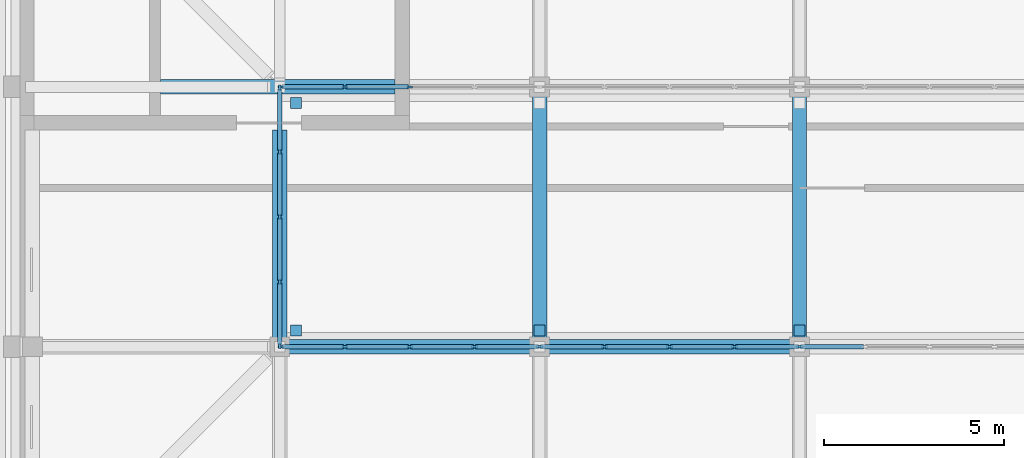
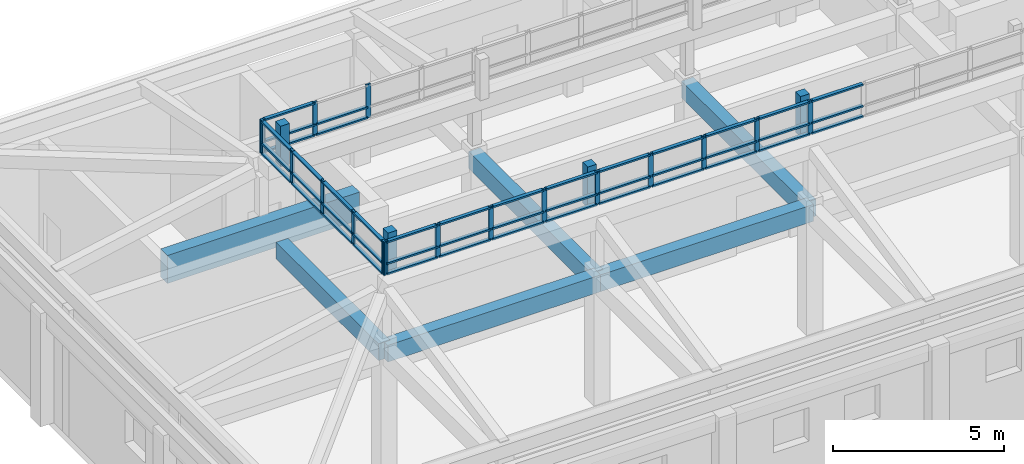
# One storey, part 14 of 48: 65 members, 6 beams, 3 elements without a shape of their own.
"""IFC4 building model written with IfcOpenShell, lengths in metres."""

from ifc_helpers import new_model, si_unit, direction, frame, origin, origin_2d, place, context, subcontext, project, spatial, rectangle, extrude, material, material_profile, profile_set, type_object, element, aggregate, save


model = new_model("IFC4")

# Units and contexts
model_context = context("Model", 3, precision=1e-05, world=origin(), true_north=direction((0.0, 1.0)))
body_context = subcontext(model_context, "Body", "Model", "MODEL_VIEW")
ifc_project = project(units=[si_unit("LENGTHUNIT", "METRE"), si_unit("AREAUNIT", "SQUARE_METRE"), si_unit("VOLUMEUNIT", "CUBIC_METRE"), si_unit("PLANEANGLEUNIT", "RADIAN"), si_unit("MASSUNIT", "GRAM", prefix="KILO")], contexts=[model_context])

# Site, building, storey
site_placement = place(None, origin())
site = spatial("IfcSite", under=ifc_project, at=site_placement, CompositionType="ELEMENT")
building_placement = place(site_placement, origin())
building = spatial("IfcBuilding", under=site, at=building_placement, Name="Alderwick Market Hall", CompositionType="ELEMENT")
storey_placement = place(building_placement, frame((0.0, 0.0, 14.39990234375)))
storey = spatial("IfcBuildingStorey", under=building, at=storey_placement, Name="L02", CompositionType="ELEMENT", Elevation=14.39990234375)

# Curtain wall, members
ifc_material_1 = material(Name="F Curtain Wall 1800 module")
curtain_wall_type = type_object("IfcCurtainWallType", Name="F Curtain Wall 1800 module", PredefinedType="NOTDEFINED", material=ifc_material_1)
curtain_wall_1_placement = place(storey_placement, origin())
curtain_wall_1 = element("IfcCurtainWall", 1, at=curtain_wall_1_placement, inside=storey, type_object=curtain_wall_type, Name="F.lantern.L02.s", PredefinedType="NOTDEFINED")
ifc_material_2 = material(Name="Aluminium alloy 6063-T6", Category="aluminium")
ifc_material_profile_1 = material_profile(ifc_material_2, rectangle(XDim=0.06005859375, YDim=0.159912109375, at=origin_2d()), Name="AL 60x160")
ifc_profile_set_1 = profile_set([ifc_material_profile_1], Name="Aluminium alloy 6063-T6")
member_type_1 = type_object("IfcMemberType", Name="F Curtain Wall Mullion 60x160", PredefinedType="MULLION", material=ifc_profile_set_1)
member_1_placement = place(storey_placement, frame((165.6298828125, 136.800048828125, 6.955078125), z_axis=(0.0, 0.0, 1.0), x_axis=(0.0, 1.0, 0.0)))
member_1 = element("IfcMember", 2, at=member_1_placement, type_object=member_type_1, Name="F-LCW mullion 1", PredefinedType="MULLION", context=body_context, shape_type="SweptSolid", body=[
    extrude(rectangle(XDim=0.06005859375, YDim=0.159912109375, at=origin_2d()), origin(), (0.0, 0.0, 1.0), 1.199951171875),
])
member_2_placement = place(storey_placement, frame((167.39990234375, 136.800048828125, 6.955078125), z_axis=(0.0, 0.0, 1.0), x_axis=(0.0, 1.0, 0.0)))
member_2 = element("IfcMember", 3, at=member_2_placement, type_object=member_type_1, Name="F-LCW mullion 2", PredefinedType="MULLION", context=body_context, shape_type="SweptSolid", body=[
    extrude(rectangle(XDim=0.06005859375, YDim=0.159912109375, at=origin_2d()), origin(), (0.0, 0.0, 1.0), 1.199951171875),
])
member_3_placement = place(storey_placement, frame((169.199951171875, 136.800048828125, 6.955078125), z_axis=(0.0, 0.0, 1.0), x_axis=(0.0, 1.0, 0.0)))
member_3 = element("IfcMember", 4, at=member_3_placement, type_object=member_type_1, Name="F-LCW mullion 3", PredefinedType="MULLION", context=body_context, shape_type="SweptSolid", body=[
    extrude(rectangle(XDim=0.06005859375, YDim=0.159912109375, at=origin_2d()), origin(), (0.0, 0.0, 1.0), 1.199951171875),
])
member_4_placement = place(storey_placement, frame((171.0, 136.800048828125, 6.955078125), z_axis=(0.0, 0.0, 1.0), x_axis=(0.0, 1.0, 0.0)))
member_4 = element("IfcMember", 5, at=member_4_placement, type_object=member_type_1, Name="F-LCW mullion 4", PredefinedType="MULLION", context=body_context, shape_type="SweptSolid", body=[
    extrude(rectangle(XDim=0.06005859375, YDim=0.159912109375, at=origin_2d()), origin(), (0.0, 0.0, 1.0), 1.199951171875),
])
member_5_placement = place(storey_placement, frame((172.800048828125, 136.800048828125, 6.955078125), z_axis=(0.0, 0.0, 1.0), x_axis=(0.0, 1.0, 0.0)))
member_5 = element("IfcMember", 6, at=member_5_placement, type_object=member_type_1, Name="F-LCW mullion 5", PredefinedType="MULLION", context=body_context, shape_type="SweptSolid", body=[
    extrude(rectangle(XDim=0.06005859375, YDim=0.159912109375, at=origin_2d()), origin(), (0.0, 0.0, 1.0), 1.199951171875),
])
member_6_placement = place(storey_placement, frame((174.60009765625, 136.800048828125, 6.955078125), z_axis=(0.0, 0.0, 1.0), x_axis=(0.0, 1.0, 0.0)))
member_6 = element("IfcMember", 7, at=member_6_placement, type_object=member_type_1, Name="F-LCW mullion 6", PredefinedType="MULLION", context=body_context, shape_type="SweptSolid", body=[
    extrude(rectangle(XDim=0.06005859375, YDim=0.159912109375, at=origin_2d()), origin(), (0.0, 0.0, 1.0), 1.199951171875),
])
member_7_placement = place(storey_placement, frame((176.39990234375, 136.800048828125, 6.955078125), z_axis=(0.0, 0.0, 1.0), x_axis=(0.0, 1.0, 0.0)))
member_7 = element("IfcMember", 8, at=member_7_placement, type_object=member_type_1, Name="F-LCW mullion 7", PredefinedType="MULLION", context=body_context, shape_type="SweptSolid", body=[
    extrude(rectangle(XDim=0.06005859375, YDim=0.159912109375, at=origin_2d()), origin(), (0.0, 0.0, 1.0), 1.199951171875),
])
member_8_placement = place(storey_placement, frame((178.199951171875, 136.800048828125, 6.955078125), z_axis=(0.0, 0.0, 1.0), x_axis=(0.0, 1.0, 0.0)))
member_8 = element("IfcMember", 9, at=member_8_placement, type_object=member_type_1, Name="F-LCW mullion 8", PredefinedType="MULLION", context=body_context, shape_type="SweptSolid", body=[
    extrude(rectangle(XDim=0.06005859375, YDim=0.159912109375, at=origin_2d()), origin(), (0.0, 0.0, 1.0), 1.199951171875),
])
member_9_placement = place(storey_placement, frame((180.0, 136.800048828125, 6.955078125), z_axis=(0.0, 0.0, 1.0), x_axis=(0.0, 1.0, 0.0)))
member_9 = element("IfcMember", 10, at=member_9_placement, type_object=member_type_1, Name="F-LCW mullion 9", PredefinedType="MULLION", context=body_context, shape_type="SweptSolid", body=[
    extrude(rectangle(XDim=0.06005859375, YDim=0.159912109375, at=origin_2d()), origin(), (0.0, 0.0, 1.0), 1.199951171875),
])

curtain_wall_2_placement = place(storey_placement, origin())
curtain_wall_2 = element("IfcCurtainWall", 11, at=curtain_wall_2_placement, inside=storey, type_object=curtain_wall_type, Name="F.lantern.L02.n", PredefinedType="NOTDEFINED")
member_10_placement = place(storey_placement, frame((165.6298828125, 144.0, 6.955078125), z_axis=(0.0, 0.0, 1.0), x_axis=(0.0, 1.0, 0.0)))
member_10 = element("IfcMember", 12, at=member_10_placement, type_object=member_type_1, Name="F-LCW mullion 1", PredefinedType="MULLION", context=body_context, shape_type="SweptSolid", body=[
    extrude(rectangle(XDim=0.06005859375, YDim=0.159912109375, at=origin_2d()), origin(), (0.0, 0.0, 1.0), 1.199951171875),
])
member_11_placement = place(storey_placement, frame((167.39990234375, 144.0, 6.955078125), z_axis=(0.0, 0.0, 1.0), x_axis=(0.0, 1.0, 0.0)))
member_11 = element("IfcMember", 13, at=member_11_placement, type_object=member_type_1, Name="F-LCW mullion 2", PredefinedType="MULLION", context=body_context, shape_type="SweptSolid", body=[
    extrude(rectangle(XDim=0.06005859375, YDim=0.159912109375, at=origin_2d()), origin(), (0.0, 0.0, 1.0), 1.199951171875),
])
member_12_placement = place(storey_placement, frame((169.199951171875, 144.0, 6.955078125), z_axis=(0.0, 0.0, 1.0), x_axis=(0.0, 1.0, 0.0)))
member_12 = element("IfcMember", 14, at=member_12_placement, type_object=member_type_1, Name="F-LCW mullion 3", PredefinedType="MULLION", context=body_context, shape_type="SweptSolid", body=[
    extrude(rectangle(XDim=0.06005859375, YDim=0.159912109375, at=origin_2d()), origin(), (0.0, 0.0, 1.0), 1.199951171875),
])

curtain_wall_3_placement = place(storey_placement, origin())
curtain_wall_3 = element("IfcCurtainWall", 15, at=curtain_wall_3_placement, inside=storey, type_object=curtain_wall_type, Name="F.lantern.L02.w", PredefinedType="NOTDEFINED")
member_13_placement = place(storey_placement, frame((165.60009765625, 136.830078125, 6.955078125), z_axis=(0.0, 0.0, 1.0), x_axis=(-1.0, 0.0, 0.0)))
member_13 = element("IfcMember", 16, at=member_13_placement, type_object=member_type_1, Name="F-LCW mullion 1", PredefinedType="MULLION", context=body_context, shape_type="SweptSolid", body=[
    extrude(rectangle(XDim=0.06005859375, YDim=0.159912109375, at=origin_2d()), origin(), (0.0, 0.0, 1.0), 1.199951171875),
])
member_14_placement = place(storey_placement, frame((165.60009765625, 138.60009765625, 6.955078125), z_axis=(0.0, 0.0, 1.0), x_axis=(-1.0, 0.0, 0.0)))
member_14 = element("IfcMember", 17, at=member_14_placement, type_object=member_type_1, Name="F-LCW mullion 2", PredefinedType="MULLION", context=body_context, shape_type="SweptSolid", body=[
    extrude(rectangle(XDim=0.06005859375, YDim=0.159912109375, at=origin_2d()), origin(), (0.0, 0.0, 1.0), 1.199951171875),
])
member_15_placement = place(storey_placement, frame((165.60009765625, 140.39990234375, 6.955078125), z_axis=(0.0, 0.0, 1.0), x_axis=(-1.0, 0.0, 0.0)))
member_15 = element("IfcMember", 18, at=member_15_placement, type_object=member_type_1, Name="F-LCW mullion 3", PredefinedType="MULLION", context=body_context, shape_type="SweptSolid", body=[
    extrude(rectangle(XDim=0.06005859375, YDim=0.159912109375, at=origin_2d()), origin(), (0.0, 0.0, 1.0), 1.199951171875),
])
member_16_placement = place(storey_placement, frame((165.60009765625, 142.199951171875, 6.955078125), z_axis=(0.0, 0.0, 1.0), x_axis=(-1.0, 0.0, 0.0)))
member_16 = element("IfcMember", 19, at=member_16_placement, type_object=member_type_1, Name="F-LCW mullion 4", PredefinedType="MULLION", context=body_context, shape_type="SweptSolid", body=[
    extrude(rectangle(XDim=0.06005859375, YDim=0.159912109375, at=origin_2d()), origin(), (0.0, 0.0, 1.0), 1.199951171875),
])
member_17_placement = place(storey_placement, frame((165.60009765625, 143.969970703125, 6.955078125), z_axis=(0.0, 0.0, 1.0), x_axis=(-1.0, 0.0, 0.0)))
member_17 = element("IfcMember", 20, at=member_17_placement, type_object=member_type_1, Name="F-LCW mullion 5", PredefinedType="MULLION", context=body_context, shape_type="SweptSolid", body=[
    extrude(rectangle(XDim=0.06005859375, YDim=0.159912109375, at=origin_2d()), origin(), (0.0, 0.0, 1.0), 1.199951171875),
])

# Member
ifc_material_profile_2 = material_profile(ifc_material_2, rectangle(XDim=0.1201171875, YDim=0.06005859375, at=origin_2d()), Name="AL 60x120")
ifc_profile_set_2 = profile_set([ifc_material_profile_2], Name="Aluminium alloy 6063-T6")
member_type_2 = type_object("IfcMemberType", Name="F Curtain Wall Transom 60x120", PredefinedType="USERDEFINED", material=ifc_profile_set_2)
member_18_placement = place(storey_placement, frame((165.659912109375, 136.800048828125, 6.985107421875), z_axis=(1.0, 0.0, 0.0), x_axis=(0.0, 1.0, 0.0)))
member_18 = element("IfcMember", 21, at=member_18_placement, type_object=member_type_2, Name="F-LCW transom 1.1", ObjectType="TRANSOM", PredefinedType="USERDEFINED", context=body_context, shape_type="SweptSolid", body=[
    extrude(rectangle(XDim=0.1201171875, YDim=0.06005859375, at=origin_2d()), origin(), (0.0, 0.0, 1.0), 1.710205078125),
])

member_19_placement = place(storey_placement, frame((165.659912109375, 136.800048828125, 7.35498046875), z_axis=(1.0, 0.0, 0.0), x_axis=(0.0, 1.0, 0.0)))
member_19 = element("IfcMember", 22, at=member_19_placement, type_object=member_type_2, Name="F-LCW transom 1.2", ObjectType="TRANSOM", PredefinedType="USERDEFINED", context=body_context, shape_type="SweptSolid", body=[
    extrude(rectangle(XDim=0.1201171875, YDim=0.06005859375, at=origin_2d()), origin(), (0.0, 0.0, 1.0), 1.710205078125),
])

member_20_placement = place(storey_placement, frame((165.659912109375, 136.800048828125, 8.125), z_axis=(1.0, 0.0, 0.0), x_axis=(0.0, 1.0, 0.0)))
member_20 = element("IfcMember", 23, at=member_20_placement, type_object=member_type_2, Name="F-LCW transom 1.3", ObjectType="TRANSOM", PredefinedType="USERDEFINED", context=body_context, shape_type="SweptSolid", body=[
    extrude(rectangle(XDim=0.1201171875, YDim=0.06005859375, at=origin_2d()), origin(), (0.0, 0.0, 1.0), 1.710205078125),
])

member_21_placement = place(storey_placement, frame((167.429931640625, 136.800048828125, 6.985107421875), z_axis=(1.0, 0.0, 0.0), x_axis=(0.0, 1.0, 0.0)))
member_21 = element("IfcMember", 24, at=member_21_placement, type_object=member_type_2, Name="F-LCW transom 2.1", ObjectType="TRANSOM", PredefinedType="USERDEFINED", context=body_context, shape_type="SweptSolid", body=[
    extrude(rectangle(XDim=0.1201171875, YDim=0.06005859375, at=origin_2d()), origin(), (0.0, 0.0, 1.0), 1.739990234375),
])

member_22_placement = place(storey_placement, frame((167.429931640625, 136.800048828125, 7.35498046875), z_axis=(1.0, 0.0, 0.0), x_axis=(0.0, 1.0, 0.0)))
member_22 = element("IfcMember", 25, at=member_22_placement, type_object=member_type_2, Name="F-LCW transom 2.2", ObjectType="TRANSOM", PredefinedType="USERDEFINED", context=body_context, shape_type="SweptSolid", body=[
    extrude(rectangle(XDim=0.1201171875, YDim=0.06005859375, at=origin_2d()), origin(), (0.0, 0.0, 1.0), 1.739990234375),
])

member_23_placement = place(storey_placement, frame((167.429931640625, 136.800048828125, 8.125), z_axis=(1.0, 0.0, 0.0), x_axis=(0.0, 1.0, 0.0)))
member_23 = element("IfcMember", 26, at=member_23_placement, type_object=member_type_2, Name="F-LCW transom 2.3", ObjectType="TRANSOM", PredefinedType="USERDEFINED", context=body_context, shape_type="SweptSolid", body=[
    extrude(rectangle(XDim=0.1201171875, YDim=0.06005859375, at=origin_2d()), origin(), (0.0, 0.0, 1.0), 1.739990234375),
])

member_24_placement = place(storey_placement, frame((169.22998046875, 136.800048828125, 6.985107421875), z_axis=(1.0, 0.0, 0.0), x_axis=(0.0, 1.0, 0.0)))
member_24 = element("IfcMember", 27, at=member_24_placement, type_object=member_type_2, Name="F-LCW transom 3.1", ObjectType="TRANSOM", PredefinedType="USERDEFINED", context=body_context, shape_type="SweptSolid", body=[
    extrude(rectangle(XDim=0.1201171875, YDim=0.06005859375, at=origin_2d()), origin(), (0.0, 0.0, 1.0), 1.739990234375),
])

member_25_placement = place(storey_placement, frame((169.22998046875, 136.800048828125, 7.35498046875), z_axis=(1.0, 0.0, 0.0), x_axis=(0.0, 1.0, 0.0)))
member_25 = element("IfcMember", 28, at=member_25_placement, type_object=member_type_2, Name="F-LCW transom 3.2", ObjectType="TRANSOM", PredefinedType="USERDEFINED", context=body_context, shape_type="SweptSolid", body=[
    extrude(rectangle(XDim=0.1201171875, YDim=0.06005859375, at=origin_2d()), origin(), (0.0, 0.0, 1.0), 1.739990234375),
])

member_26_placement = place(storey_placement, frame((169.22998046875, 136.800048828125, 8.125), z_axis=(1.0, 0.0, 0.0), x_axis=(0.0, 1.0, 0.0)))
member_26 = element("IfcMember", 29, at=member_26_placement, type_object=member_type_2, Name="F-LCW transom 3.3", ObjectType="TRANSOM", PredefinedType="USERDEFINED", context=body_context, shape_type="SweptSolid", body=[
    extrude(rectangle(XDim=0.1201171875, YDim=0.06005859375, at=origin_2d()), origin(), (0.0, 0.0, 1.0), 1.739990234375),
])

member_27_placement = place(storey_placement, frame((171.030029296875, 136.800048828125, 6.985107421875), z_axis=(1.0, 0.0, 0.0), x_axis=(0.0, 1.0, 0.0)))
member_27 = element("IfcMember", 30, at=member_27_placement, type_object=member_type_2, Name="F-LCW transom 4.1", ObjectType="TRANSOM", PredefinedType="USERDEFINED", context=body_context, shape_type="SweptSolid", body=[
    extrude(rectangle(XDim=0.1201171875, YDim=0.06005859375, at=origin_2d()), origin(), (0.0, 0.0, 1.0), 1.739990234375),
])

member_28_placement = place(storey_placement, frame((171.030029296875, 136.800048828125, 7.35498046875), z_axis=(1.0, 0.0, 0.0), x_axis=(0.0, 1.0, 0.0)))
member_28 = element("IfcMember", 31, at=member_28_placement, type_object=member_type_2, Name="F-LCW transom 4.2", ObjectType="TRANSOM", PredefinedType="USERDEFINED", context=body_context, shape_type="SweptSolid", body=[
    extrude(rectangle(XDim=0.1201171875, YDim=0.06005859375, at=origin_2d()), origin(), (0.0, 0.0, 1.0), 1.739990234375),
])

member_29_placement = place(storey_placement, frame((171.030029296875, 136.800048828125, 8.125), z_axis=(1.0, 0.0, 0.0), x_axis=(0.0, 1.0, 0.0)))
member_29 = element("IfcMember", 32, at=member_29_placement, type_object=member_type_2, Name="F-LCW transom 4.3", ObjectType="TRANSOM", PredefinedType="USERDEFINED", context=body_context, shape_type="SweptSolid", body=[
    extrude(rectangle(XDim=0.1201171875, YDim=0.06005859375, at=origin_2d()), origin(), (0.0, 0.0, 1.0), 1.739990234375),
])

member_30_placement = place(storey_placement, frame((172.830078125, 136.800048828125, 6.985107421875), z_axis=(1.0, 0.0, 0.0), x_axis=(0.0, 1.0, 0.0)))
member_30 = element("IfcMember", 33, at=member_30_placement, type_object=member_type_2, Name="F-LCW transom 5.1", ObjectType="TRANSOM", PredefinedType="USERDEFINED", context=body_context, shape_type="SweptSolid", body=[
    extrude(rectangle(XDim=0.1201171875, YDim=0.06005859375, at=origin_2d()), origin(), (0.0, 0.0, 1.0), 1.739990234375),
])

member_31_placement = place(storey_placement, frame((172.830078125, 136.800048828125, 7.35498046875), z_axis=(1.0, 0.0, 0.0), x_axis=(0.0, 1.0, 0.0)))
member_31 = element("IfcMember", 34, at=member_31_placement, type_object=member_type_2, Name="F-LCW transom 5.2", ObjectType="TRANSOM", PredefinedType="USERDEFINED", context=body_context, shape_type="SweptSolid", body=[
    extrude(rectangle(XDim=0.1201171875, YDim=0.06005859375, at=origin_2d()), origin(), (0.0, 0.0, 1.0), 1.739990234375),
])

member_32_placement = place(storey_placement, frame((172.830078125, 136.800048828125, 8.125), z_axis=(1.0, 0.0, 0.0), x_axis=(0.0, 1.0, 0.0)))
member_32 = element("IfcMember", 35, at=member_32_placement, type_object=member_type_2, Name="F-LCW transom 5.3", ObjectType="TRANSOM", PredefinedType="USERDEFINED", context=body_context, shape_type="SweptSolid", body=[
    extrude(rectangle(XDim=0.1201171875, YDim=0.06005859375, at=origin_2d()), origin(), (0.0, 0.0, 1.0), 1.739990234375),
])

member_33_placement = place(storey_placement, frame((174.6298828125, 136.800048828125, 6.985107421875), z_axis=(1.0, 0.0, 0.0), x_axis=(0.0, 1.0, 0.0)))
member_33 = element("IfcMember", 36, at=member_33_placement, type_object=member_type_2, Name="F-LCW transom 6.1", ObjectType="TRANSOM", PredefinedType="USERDEFINED", context=body_context, shape_type="SweptSolid", body=[
    extrude(rectangle(XDim=0.1201171875, YDim=0.06005859375, at=origin_2d()), origin(), (0.0, 0.0, 1.0), 1.740234375),
])

member_34_placement = place(storey_placement, frame((174.6298828125, 136.800048828125, 7.35498046875), z_axis=(1.0, 0.0, 0.0), x_axis=(0.0, 1.0, 0.0)))
member_34 = element("IfcMember", 37, at=member_34_placement, type_object=member_type_2, Name="F-LCW transom 6.2", ObjectType="TRANSOM", PredefinedType="USERDEFINED", context=body_context, shape_type="SweptSolid", body=[
    extrude(rectangle(XDim=0.1201171875, YDim=0.06005859375, at=origin_2d()), origin(), (0.0, 0.0, 1.0), 1.740234375),
])

member_35_placement = place(storey_placement, frame((174.6298828125, 136.800048828125, 8.125), z_axis=(1.0, 0.0, 0.0), x_axis=(0.0, 1.0, 0.0)))
member_35 = element("IfcMember", 38, at=member_35_placement, type_object=member_type_2, Name="F-LCW transom 6.3", ObjectType="TRANSOM", PredefinedType="USERDEFINED", context=body_context, shape_type="SweptSolid", body=[
    extrude(rectangle(XDim=0.1201171875, YDim=0.06005859375, at=origin_2d()), origin(), (0.0, 0.0, 1.0), 1.740234375),
])

member_36_placement = place(storey_placement, frame((176.429931640625, 136.800048828125, 6.985107421875), z_axis=(1.0, 0.0, 0.0), x_axis=(0.0, 1.0, 0.0)))
member_36 = element("IfcMember", 39, at=member_36_placement, type_object=member_type_2, Name="F-LCW transom 7.1", ObjectType="TRANSOM", PredefinedType="USERDEFINED", context=body_context, shape_type="SweptSolid", body=[
    extrude(rectangle(XDim=0.1201171875, YDim=0.06005859375, at=origin_2d()), origin(), (0.0, 0.0, 1.0), 1.739990234375),
])

member_37_placement = place(storey_placement, frame((176.429931640625, 136.800048828125, 7.35498046875), z_axis=(1.0, 0.0, 0.0), x_axis=(0.0, 1.0, 0.0)))
member_37 = element("IfcMember", 40, at=member_37_placement, type_object=member_type_2, Name="F-LCW transom 7.2", ObjectType="TRANSOM", PredefinedType="USERDEFINED", context=body_context, shape_type="SweptSolid", body=[
    extrude(rectangle(XDim=0.1201171875, YDim=0.06005859375, at=origin_2d()), origin(), (0.0, 0.0, 1.0), 1.739990234375),
])

member_38_placement = place(storey_placement, frame((176.429931640625, 136.800048828125, 8.125), z_axis=(1.0, 0.0, 0.0), x_axis=(0.0, 1.0, 0.0)))
member_38 = element("IfcMember", 41, at=member_38_placement, type_object=member_type_2, Name="F-LCW transom 7.3", ObjectType="TRANSOM", PredefinedType="USERDEFINED", context=body_context, shape_type="SweptSolid", body=[
    extrude(rectangle(XDim=0.1201171875, YDim=0.06005859375, at=origin_2d()), origin(), (0.0, 0.0, 1.0), 1.739990234375),
])

member_39_placement = place(storey_placement, frame((178.22998046875, 136.800048828125, 6.985107421875), z_axis=(1.0, 0.0, 0.0), x_axis=(0.0, 1.0, 0.0)))
member_39 = element("IfcMember", 42, at=member_39_placement, type_object=member_type_2, Name="F-LCW transom 8.1", ObjectType="TRANSOM", PredefinedType="USERDEFINED", context=body_context, shape_type="SweptSolid", body=[
    extrude(rectangle(XDim=0.1201171875, YDim=0.06005859375, at=origin_2d()), origin(), (0.0, 0.0, 1.0), 1.739990234375),
])

member_40_placement = place(storey_placement, frame((178.22998046875, 136.800048828125, 7.35498046875), z_axis=(1.0, 0.0, 0.0), x_axis=(0.0, 1.0, 0.0)))
member_40 = element("IfcMember", 43, at=member_40_placement, type_object=member_type_2, Name="F-LCW transom 8.2", ObjectType="TRANSOM", PredefinedType="USERDEFINED", context=body_context, shape_type="SweptSolid", body=[
    extrude(rectangle(XDim=0.1201171875, YDim=0.06005859375, at=origin_2d()), origin(), (0.0, 0.0, 1.0), 1.739990234375),
])

member_41_placement = place(storey_placement, frame((178.22998046875, 136.800048828125, 8.125), z_axis=(1.0, 0.0, 0.0), x_axis=(0.0, 1.0, 0.0)))
member_41 = element("IfcMember", 44, at=member_41_placement, type_object=member_type_2, Name="F-LCW transom 8.3", ObjectType="TRANSOM", PredefinedType="USERDEFINED", context=body_context, shape_type="SweptSolid", body=[
    extrude(rectangle(XDim=0.1201171875, YDim=0.06005859375, at=origin_2d()), origin(), (0.0, 0.0, 1.0), 1.739990234375),
])

member_42_placement = place(storey_placement, frame((180.030029296875, 136.800048828125, 6.985107421875), z_axis=(1.0, 0.0, 0.0), x_axis=(0.0, 1.0, 0.0)))
member_42 = element("IfcMember", 45, at=member_42_placement, type_object=member_type_2, Name="F-LCW transom 9.1", ObjectType="TRANSOM", PredefinedType="USERDEFINED", context=body_context, shape_type="SweptSolid", body=[
    extrude(rectangle(XDim=0.1201171875, YDim=0.06005859375, at=origin_2d()), origin(), (0.0, 0.0, 1.0), 1.739990234375),
])

member_43_placement = place(storey_placement, frame((180.030029296875, 136.800048828125, 7.35498046875), z_axis=(1.0, 0.0, 0.0), x_axis=(0.0, 1.0, 0.0)))
member_43 = element("IfcMember", 46, at=member_43_placement, type_object=member_type_2, Name="F-LCW transom 9.2", ObjectType="TRANSOM", PredefinedType="USERDEFINED", context=body_context, shape_type="SweptSolid", body=[
    extrude(rectangle(XDim=0.1201171875, YDim=0.06005859375, at=origin_2d()), origin(), (0.0, 0.0, 1.0), 1.739990234375),
])

member_44_placement = place(storey_placement, frame((180.030029296875, 136.800048828125, 8.125), z_axis=(1.0, 0.0, 0.0), x_axis=(0.0, 1.0, 0.0)))
member_44 = element("IfcMember", 47, at=member_44_placement, type_object=member_type_2, Name="F-LCW transom 9.3", ObjectType="TRANSOM", PredefinedType="USERDEFINED", context=body_context, shape_type="SweptSolid", body=[
    extrude(rectangle(XDim=0.1201171875, YDim=0.06005859375, at=origin_2d()), origin(), (0.0, 0.0, 1.0), 1.739990234375),
])

aggregate(curtain_wall_1, [member_1, member_2, member_3, member_4, member_5, member_6, member_7, member_8, member_9, member_18, member_19, member_20, member_21, member_22, member_23, member_24, member_25, member_26, member_27, member_28, member_29, member_30, member_31, member_32, member_33, member_34, member_35, member_36, member_37, member_38, member_39, member_40, member_41, member_42, member_43, member_44])

member_45_placement = place(storey_placement, frame((165.659912109375, 144.0, 6.985107421875), z_axis=(1.0, 0.0, 0.0), x_axis=(0.0, 1.0, 0.0)))
member_45 = element("IfcMember", 48, at=member_45_placement, type_object=member_type_2, Name="F-LCW transom 1.1", ObjectType="TRANSOM", PredefinedType="USERDEFINED", context=body_context, shape_type="SweptSolid", body=[
    extrude(rectangle(XDim=0.1201171875, YDim=0.06005859375, at=origin_2d()), origin(), (0.0, 0.0, 1.0), 1.710205078125),
])

member_46_placement = place(storey_placement, frame((165.659912109375, 144.0, 7.35498046875), z_axis=(1.0, 0.0, 0.0), x_axis=(0.0, 1.0, 0.0)))
member_46 = element("IfcMember", 49, at=member_46_placement, type_object=member_type_2, Name="F-LCW transom 1.2", ObjectType="TRANSOM", PredefinedType="USERDEFINED", context=body_context, shape_type="SweptSolid", body=[
    extrude(rectangle(XDim=0.1201171875, YDim=0.06005859375, at=origin_2d()), origin(), (0.0, 0.0, 1.0), 1.710205078125),
])

member_47_placement = place(storey_placement, frame((165.659912109375, 144.0, 8.125), z_axis=(1.0, 0.0, 0.0), x_axis=(0.0, 1.0, 0.0)))
member_47 = element("IfcMember", 50, at=member_47_placement, type_object=member_type_2, Name="F-LCW transom 1.3", ObjectType="TRANSOM", PredefinedType="USERDEFINED", context=body_context, shape_type="SweptSolid", body=[
    extrude(rectangle(XDim=0.1201171875, YDim=0.06005859375, at=origin_2d()), origin(), (0.0, 0.0, 1.0), 1.710205078125),
])

member_48_placement = place(storey_placement, frame((167.429931640625, 144.0, 6.985107421875), z_axis=(1.0, 0.0, 0.0), x_axis=(0.0, 1.0, 0.0)))
member_48 = element("IfcMember", 51, at=member_48_placement, type_object=member_type_2, Name="F-LCW transom 2.1", ObjectType="TRANSOM", PredefinedType="USERDEFINED", context=body_context, shape_type="SweptSolid", body=[
    extrude(rectangle(XDim=0.1201171875, YDim=0.06005859375, at=origin_2d()), origin(), (0.0, 0.0, 1.0), 1.739990234375),
])

member_49_placement = place(storey_placement, frame((167.429931640625, 144.0, 7.35498046875), z_axis=(1.0, 0.0, 0.0), x_axis=(0.0, 1.0, 0.0)))
member_49 = element("IfcMember", 52, at=member_49_placement, type_object=member_type_2, Name="F-LCW transom 2.2", ObjectType="TRANSOM", PredefinedType="USERDEFINED", context=body_context, shape_type="SweptSolid", body=[
    extrude(rectangle(XDim=0.1201171875, YDim=0.06005859375, at=origin_2d()), origin(), (0.0, 0.0, 1.0), 1.739990234375),
])

aggregate(curtain_wall_2, [member_10, member_11, member_12, member_45, member_46, member_47, member_48, member_49])

member_50_placement = place(storey_placement, frame((165.60009765625, 136.860107421875, 6.985107421875), z_axis=(0.0, 1.0, 0.0), x_axis=(-1.0, 0.0, 0.0)))
member_50 = element("IfcMember", 53, at=member_50_placement, type_object=member_type_2, Name="F-LCW transom 1.1", ObjectType="TRANSOM", PredefinedType="USERDEFINED", context=body_context, shape_type="SweptSolid", body=[
    extrude(rectangle(XDim=0.1201171875, YDim=0.06005859375, at=origin_2d()), origin(), (0.0, 0.0, 1.0), 1.7099609375),
])

member_51_placement = place(storey_placement, frame((165.60009765625, 136.860107421875, 7.35498046875), z_axis=(0.0, 1.0, 0.0), x_axis=(-1.0, 0.0, 0.0)))
member_51 = element("IfcMember", 54, at=member_51_placement, type_object=member_type_2, Name="F-LCW transom 1.2", ObjectType="TRANSOM", PredefinedType="USERDEFINED", context=body_context, shape_type="SweptSolid", body=[
    extrude(rectangle(XDim=0.1201171875, YDim=0.06005859375, at=origin_2d()), origin(), (0.0, 0.0, 1.0), 1.7099609375),
])

member_52_placement = place(storey_placement, frame((165.60009765625, 136.860107421875, 8.125), z_axis=(0.0, 1.0, 0.0), x_axis=(-1.0, 0.0, 0.0)))
member_52 = element("IfcMember", 55, at=member_52_placement, type_object=member_type_2, Name="F-LCW transom 1.3", ObjectType="TRANSOM", PredefinedType="USERDEFINED", context=body_context, shape_type="SweptSolid", body=[
    extrude(rectangle(XDim=0.1201171875, YDim=0.06005859375, at=origin_2d()), origin(), (0.0, 0.0, 1.0), 1.7099609375),
])

member_53_placement = place(storey_placement, frame((165.60009765625, 138.6298828125, 6.985107421875), z_axis=(0.0, 1.0, 0.0), x_axis=(-1.0, 0.0, 0.0)))
member_53 = element("IfcMember", 56, at=member_53_placement, type_object=member_type_2, Name="F-LCW transom 2.1", ObjectType="TRANSOM", PredefinedType="USERDEFINED", context=body_context, shape_type="SweptSolid", body=[
    extrude(rectangle(XDim=0.1201171875, YDim=0.06005859375, at=origin_2d()), origin(), (0.0, 0.0, 1.0), 1.740234375),
])

member_54_placement = place(storey_placement, frame((165.60009765625, 138.6298828125, 7.35498046875), z_axis=(0.0, 1.0, 0.0), x_axis=(-1.0, 0.0, 0.0)))
member_54 = element("IfcMember", 57, at=member_54_placement, type_object=member_type_2, Name="F-LCW transom 2.2", ObjectType="TRANSOM", PredefinedType="USERDEFINED", context=body_context, shape_type="SweptSolid", body=[
    extrude(rectangle(XDim=0.1201171875, YDim=0.06005859375, at=origin_2d()), origin(), (0.0, 0.0, 1.0), 1.740234375),
])

member_55_placement = place(storey_placement, frame((165.60009765625, 138.6298828125, 8.125), z_axis=(0.0, 1.0, 0.0), x_axis=(-1.0, 0.0, 0.0)))
member_55 = element("IfcMember", 58, at=member_55_placement, type_object=member_type_2, Name="F-LCW transom 2.3", ObjectType="TRANSOM", PredefinedType="USERDEFINED", context=body_context, shape_type="SweptSolid", body=[
    extrude(rectangle(XDim=0.1201171875, YDim=0.06005859375, at=origin_2d()), origin(), (0.0, 0.0, 1.0), 1.740234375),
])

member_56_placement = place(storey_placement, frame((165.60009765625, 140.429931640625, 6.985107421875), z_axis=(0.0, 1.0, 0.0), x_axis=(-1.0, 0.0, 0.0)))
member_56 = element("IfcMember", 59, at=member_56_placement, type_object=member_type_2, Name="F-LCW transom 3.1", ObjectType="TRANSOM", PredefinedType="USERDEFINED", context=body_context, shape_type="SweptSolid", body=[
    extrude(rectangle(XDim=0.1201171875, YDim=0.06005859375, at=origin_2d()), origin(), (0.0, 0.0, 1.0), 1.739990234375),
])

member_57_placement = place(storey_placement, frame((165.60009765625, 140.429931640625, 7.35498046875), z_axis=(0.0, 1.0, 0.0), x_axis=(-1.0, 0.0, 0.0)))
member_57 = element("IfcMember", 60, at=member_57_placement, type_object=member_type_2, Name="F-LCW transom 3.2", ObjectType="TRANSOM", PredefinedType="USERDEFINED", context=body_context, shape_type="SweptSolid", body=[
    extrude(rectangle(XDim=0.1201171875, YDim=0.06005859375, at=origin_2d()), origin(), (0.0, 0.0, 1.0), 1.739990234375),
])

member_58_placement = place(storey_placement, frame((165.60009765625, 140.429931640625, 8.125), z_axis=(0.0, 1.0, 0.0), x_axis=(-1.0, 0.0, 0.0)))
member_58 = element("IfcMember", 61, at=member_58_placement, type_object=member_type_2, Name="F-LCW transom 3.3", ObjectType="TRANSOM", PredefinedType="USERDEFINED", context=body_context, shape_type="SweptSolid", body=[
    extrude(rectangle(XDim=0.1201171875, YDim=0.06005859375, at=origin_2d()), origin(), (0.0, 0.0, 1.0), 1.739990234375),
])

member_59_placement = place(storey_placement, frame((165.60009765625, 142.22998046875, 6.985107421875), z_axis=(0.0, 1.0, 0.0), x_axis=(-1.0, 0.0, 0.0)))
member_59 = element("IfcMember", 62, at=member_59_placement, type_object=member_type_2, Name="F-LCW transom 4.1", ObjectType="TRANSOM", PredefinedType="USERDEFINED", context=body_context, shape_type="SweptSolid", body=[
    extrude(rectangle(XDim=0.1201171875, YDim=0.06005859375, at=origin_2d()), origin(), (0.0, 0.0, 1.0), 1.7099609375),
])

member_60_placement = place(storey_placement, frame((165.60009765625, 142.22998046875, 7.35498046875), z_axis=(0.0, 1.0, 0.0), x_axis=(-1.0, 0.0, 0.0)))
member_60 = element("IfcMember", 63, at=member_60_placement, type_object=member_type_2, Name="F-LCW transom 4.2", ObjectType="TRANSOM", PredefinedType="USERDEFINED", context=body_context, shape_type="SweptSolid", body=[
    extrude(rectangle(XDim=0.1201171875, YDim=0.06005859375, at=origin_2d()), origin(), (0.0, 0.0, 1.0), 1.7099609375),
])

member_61_placement = place(storey_placement, frame((165.60009765625, 142.22998046875, 8.125), z_axis=(0.0, 1.0, 0.0), x_axis=(-1.0, 0.0, 0.0)))
member_61 = element("IfcMember", 64, at=member_61_placement, type_object=member_type_2, Name="F-LCW transom 4.3", ObjectType="TRANSOM", PredefinedType="USERDEFINED", context=body_context, shape_type="SweptSolid", body=[
    extrude(rectangle(XDim=0.1201171875, YDim=0.06005859375, at=origin_2d()), origin(), (0.0, 0.0, 1.0), 1.7099609375),
])

aggregate(curtain_wall_3, [member_13, member_14, member_15, member_16, member_17, member_50, member_51, member_52, member_53, member_54, member_55, member_56, member_57, member_58, member_59, member_60, member_61])

# Beams
ifc_material_3 = material(Name="Concrete 5000 psi (f'c 35 MPa)", Category="concrete")
ifc_material_profile_3 = material_profile(ifc_material_3, rectangle(XDim=0.39990234375, YDim=0.60009765625, at=origin_2d()), Name="RC 400x600")
ifc_profile_set_3 = profile_set([ifc_material_profile_3], Name="Concrete 5000 psi (f'c 35 MPa)")
beam_type_1 = type_object("IfcBeamType", Name="F Floor Beam RC 400x600", PredefinedType="BEAM", material=ifc_profile_set_3)
for number, where, z_axis, x_axis, name in (
    (65, (165.60009765625, 136.800048828125, 4.25), (1.0, 0.0, 0.0), (0.0, 1.0, 0.0), "F.beam.L02.012"),
    (66, (172.800048828125, 136.800048828125, 4.25), (1.0, 0.0, 0.0), (0.0, 1.0, 0.0), "F.beam.L02.013"),
):
    element("IfcBeam", number, at=place(storey_placement, frame(where, z_axis=z_axis, x_axis=x_axis)), inside=storey, type_object=beam_type_1, Name=name, PredefinedType="BEAM", context=body_context, shape_type="SweptSolid", body=[
        extrude(rectangle(XDim=0.39990234375, YDim=0.60009765625, at=origin_2d()), origin(), (0.0, 0.0, 1.0), 7.199951171875),
    ])
beam_1_placement = place(storey_placement, frame((165.60009765625, 136.800048828125, 4.25), z_axis=(0.0, 1.0, 0.0), x_axis=(-1.0, 0.0, 0.0)))
element("IfcBeam", 67, at=beam_1_placement, inside=storey, type_object=beam_type_1, Name="F.beam.L02.040", PredefinedType="BEAM", context=body_context, shape_type="SweptSolid", body=[
    extrude(rectangle(XDim=0.39990234375, YDim=0.60009765625, at=origin_2d()), origin(), (0.0, 0.0, 1.0), 6.0009765625),
])
for number, where, z_axis, x_axis, name in (
    (68, (172.800048828125, 136.800048828125, 4.25), (0.0, 1.0, 0.0), (-1.0, 0.0, 0.0), "F.beam.L02.042"),
    (69, (180.0, 136.800048828125, 4.25), (0.0, 1.0, 0.0), (-1.0, 0.0, 0.0), "F.beam.L02.045"),
):
    element("IfcBeam", number, at=place(storey_placement, frame(where, z_axis=z_axis, x_axis=x_axis)), inside=storey, type_object=beam_type_1, Name=name, PredefinedType="BEAM", context=body_context, shape_type="SweptSolid", body=[
        extrude(rectangle(XDim=0.39990234375, YDim=0.60009765625, at=origin_2d()), origin(), (0.0, 0.0, 1.0), 7.199951171875),
    ])

# Members
ifc_material_profile_4 = material_profile(ifc_material_3, rectangle(XDim=0.300048828125, YDim=0.300048828125, at=origin_2d()), Name="RC 300x300")
ifc_profile_set_4 = profile_set([ifc_material_profile_4], Name="Concrete 5000 psi (f'c 35 MPa)")
member_type_3 = type_object("IfcMemberType", Name="F Lantern Post RC 300x300", PredefinedType="POST", material=ifc_profile_set_4)
for number, where, z_axis, x_axis, name in (
    (70, (166.050048828125, 137.25, 6.7001953125), (0.0, 0.0, 1.0), (1.0, 0.0, 0.0), "F.lanternpost.L02.01"),
    (71, (172.800048828125, 137.25, 6.7001953125), (0.0, 0.0, 1.0), (1.0, 0.0, 0.0), "F.lanternpost.L02.02"),
    (72, (180.0, 137.25, 6.7001953125), (0.0, 0.0, 1.0), (1.0, 0.0, 0.0), "F.lanternpost.L02.03"),
    (73, (166.050048828125, 143.550048828125, 6.7001953125), (0.0, 0.0, 1.0), (1.0, 0.0, 0.0), "F.lanternpost.L02.10"),
):
    element("IfcMember", number, at=place(storey_placement, frame(where, z_axis=z_axis, x_axis=x_axis)), inside=storey, type_object=member_type_3, Name=name, PredefinedType="POST", context=body_context, shape_type="SweptSolid", body=[
        extrude(rectangle(XDim=0.300048828125, YDim=0.300048828125, at=origin_2d()), origin(), (0.0, 0.0, 1.0), 1.454833984375),
    ])

# Beam
ifc_material_profile_5 = material_profile(ifc_material_3, rectangle(XDim=0.39990234375, YDim=1.0, at=origin_2d()), Name="RC 400x1000")
ifc_profile_set_5 = profile_set([ifc_material_profile_5], Name="Concrete 5000 psi (f'c 35 MPa)")
beam_type_2 = type_object("IfcBeamType", Name="F Transfer Girder RC 400x1000", PredefinedType="BEAM", material=ifc_profile_set_5)
beam_2_placement = place(storey_placement, frame((162.300048828125, 144.0, 4.050048828125), z_axis=(1.0, 0.0, 0.0), x_axis=(0.0, 1.0, 0.0)))
element("IfcBeam", 74, at=beam_2_placement, inside=storey, type_object=beam_type_2, Name="F.tgirder.L02.10", PredefinedType="BEAM", context=body_context, shape_type="SweptSolid", body=[
    extrude(rectangle(XDim=0.39990234375, YDim=1.0, at=origin_2d()), origin(), (0.0, 0.0, 1.0), 6.5),
])

save(model, "model.ifc")
